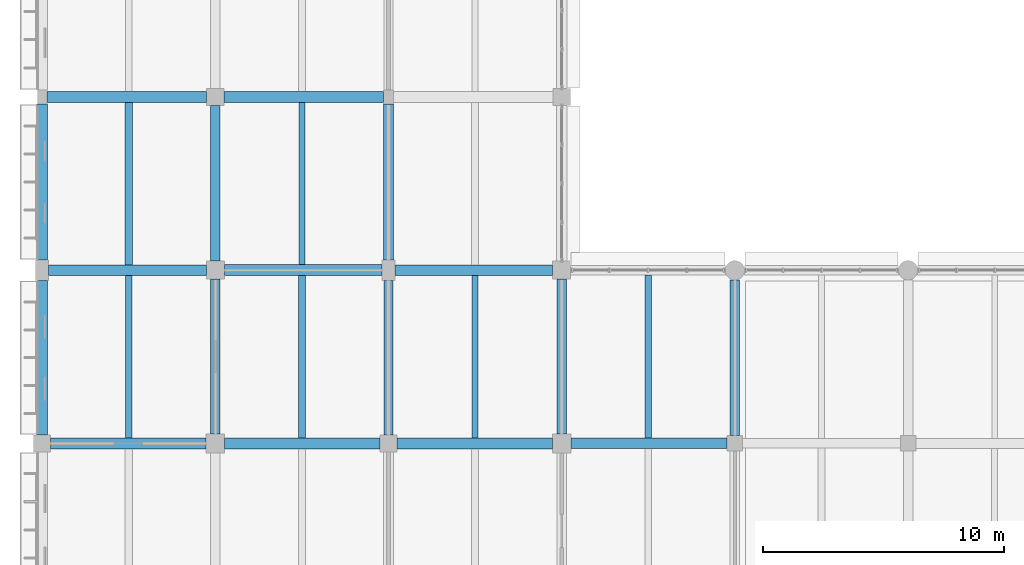
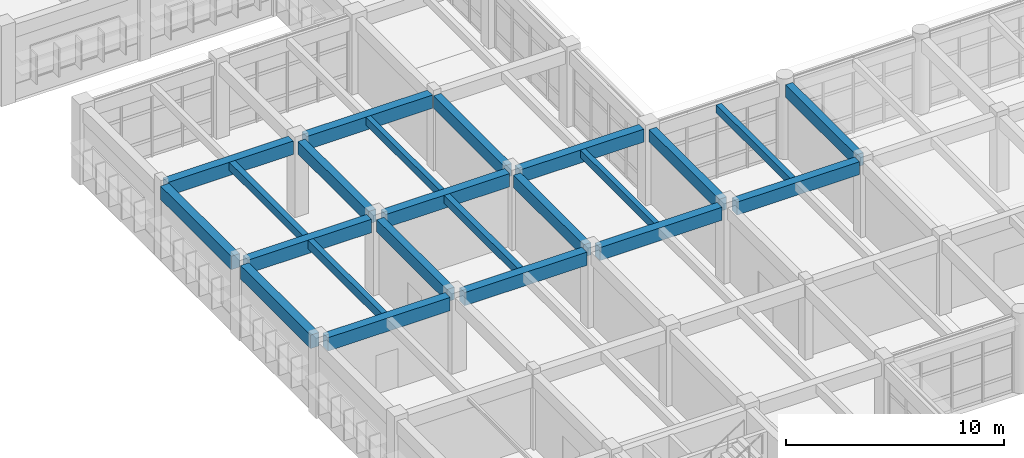
# One storey, part 48 of 171: 23 beams.
"""IFC4 building model written with IfcOpenShell, lengths in metres."""

from ifc_helpers import new_model, si_unit, direction, frame, origin, origin_2d, place, context, subcontext, project, spatial, rectangle, extrude, material, material_profile, profile_set, type_object, element, save


model = new_model("IFC4")

# Units and contexts
model_context = context("Model", 3, precision=1e-05, world=origin(), true_north=direction((0.0, 1.0)))
body_context = subcontext(model_context, "Body", "Model", "MODEL_VIEW")
ifc_project = project(units=[si_unit("LENGTHUNIT", "METRE"), si_unit("AREAUNIT", "SQUARE_METRE"), si_unit("VOLUMEUNIT", "CUBIC_METRE"), si_unit("PLANEANGLEUNIT", "RADIAN"), si_unit("MASSUNIT", "GRAM", prefix="KILO")], contexts=[model_context])

# Site, building, storey
site_placement = place(None, origin())
site = spatial("IfcSite", under=ifc_project, at=site_placement, CompositionType="ELEMENT")
building_placement = place(site_placement, origin())
building = spatial("IfcBuilding", under=site, at=building_placement, Name="Thalmaran Polytechnic", CompositionType="ELEMENT")
storey_placement = place(building_placement, frame((0.0, 0.0, 5.39990234375)))
storey = spatial("IfcBuildingStorey", under=building, at=storey_placement, Name="L01", CompositionType="ELEMENT", Elevation=5.39990234375)

# Beams
ifc_material = material(Name="Concrete C40/50", Category="concrete")
ifc_material_profile_1 = material_profile(ifc_material, rectangle(XDim=0.449951171875, YDim=0.75, at=origin_2d()), Name="RC 450x750")
ifc_profile_set_1 = profile_set([ifc_material_profile_1], Name="Concrete C40/50")
beam_type_1 = type_object("IfcBeamType", Name="BM-RC03", PredefinedType="BEAM", material=ifc_profile_set_1)
beam_1_placement = place(storey_placement, frame((0.35009765625, 64.800048828125, 3.835205078125), z_axis=(1.0, 0.0, 0.0), x_axis=(0.0, 1.0, 0.0)))
element("IfcBeam", 1, at=beam_1_placement, inside=storey, type_object=beam_type_1, Name="Grid Beam B03 L01 X(0,9)", PredefinedType="BEAM", context=body_context, shape_type="SweptSolid", body=[
    extrude(rectangle(XDim=0.449951171875, YDim=0.75, at=origin_2d()), origin(), (0.0, 0.0, 1.0), 6.4599609375),
])
beam_2_placement = place(storey_placement, frame((0.27490234375, 72.0, 3.835205078125), z_axis=(1.0, 0.0, 0.0), x_axis=(0.0, 1.0, 0.0)))
element("IfcBeam", 2, at=beam_2_placement, inside=storey, type_object=beam_type_1, Name="Grid Beam B03 L01 X(0,10)", PredefinedType="BEAM", context=body_context, shape_type="SweptSolid", body=[
    extrude(rectangle(XDim=0.449951171875, YDim=0.75, at=origin_2d()), origin(), (0.0, 0.0, 1.0), 6.550048828125),
])
beam_3_placement = place(storey_placement, frame((0.199951171875, 79.199951171875, 3.835205078125), z_axis=(1.0, 0.0, 0.0), x_axis=(0.0, 1.0, 0.0)))
element("IfcBeam", 3, at=beam_3_placement, inside=storey, type_object=beam_type_1, Name="Grid Beam B03 L01 X(0,11)", PredefinedType="BEAM", context=body_context, shape_type="SweptSolid", body=[
    extrude(rectangle(XDim=0.449951171875, YDim=0.75, at=origin_2d()), origin(), (0.0, 0.0, 1.0), 6.64013671875),
])
ifc_material_profile_2 = material_profile(ifc_material, rectangle(XDim=0.449951171875, YDim=0.72509765625, at=origin_2d()), Name="RC 450x725")
ifc_profile_set_2 = profile_set([ifc_material_profile_2], Name="Concrete C40/50")
beam_type_2 = type_object("IfcBeamType", Name="BM-RC04", PredefinedType="BEAM", material=ifc_profile_set_2)
beam_4_placement = place(storey_placement, frame((14.75, 64.800048828125, 3.84765625), z_axis=(1.0, 0.0, 0.0), x_axis=(0.0, 1.0, 0.0)))
element("IfcBeam", 4, at=beam_4_placement, inside=storey, type_object=beam_type_2, Name="Grid Beam B04 L01 X(2,9)", PredefinedType="BEAM", context=body_context, shape_type="SweptSolid", body=[
    extrude(rectangle(XDim=0.449951171875, YDim=0.72509765625, at=origin_2d()), origin(), (0.0, 0.0, 1.0), 6.4599609375),
])
beam_5_placement = place(storey_placement, frame((14.675048828125, 72.0, 3.84765625), z_axis=(1.0, 0.0, 0.0), x_axis=(0.0, 1.0, 0.0)))
element("IfcBeam", 5, at=beam_5_placement, inside=storey, type_object=beam_type_2, Name="Grid Beam B04 L01 X(2,10)", PredefinedType="BEAM", context=body_context, shape_type="SweptSolid", body=[
    extrude(rectangle(XDim=0.449951171875, YDim=0.72509765625, at=origin_2d()), origin(), (0.0, 0.0, 1.0), 6.550048828125),
])
ifc_material_profile_3 = material_profile(ifc_material, rectangle(XDim=0.389892578125, YDim=0.68994140625, at=origin_2d()), Name="RC 390x690")
ifc_profile_set_3 = profile_set([ifc_material_profile_3], Name="Concrete C40/50")
beam_type_3 = type_object("IfcBeamType", Name="BM-RC09", PredefinedType="BEAM", material=ifc_profile_set_3)
beam_6_placement = place(storey_placement, frame((7.199951171875, 65.18994140625, 3.864990234375), z_axis=(0.0, 1.0, 0.0), x_axis=(-1.0, 0.0, 0.0)))
element("IfcBeam", 6, at=beam_6_placement, inside=storey, type_object=beam_type_3, Name="Grid Beam B09 L01 Y(1,9)", PredefinedType="BEAM", context=body_context, shape_type="SweptSolid", body=[
    extrude(rectangle(XDim=0.389892578125, YDim=0.68994140625, at=origin_2d()), origin(), (0.0, 0.0, 1.0), 6.43505859375),
])
beam_7_placement = place(storey_placement, frame((14.39990234375, 65.14990234375, 3.864990234375), z_axis=(0.0, 1.0, 0.0), x_axis=(-1.0, 0.0, 0.0)))
element("IfcBeam", 7, at=beam_7_placement, inside=storey, type_object=beam_type_3, Name="Grid Beam B09 L01 Y(2,9)", PredefinedType="BEAM", context=body_context, shape_type="SweptSolid", body=[
    extrude(rectangle(XDim=0.389892578125, YDim=0.68994140625, at=origin_2d()), origin(), (0.0, 0.0, 1.0), 6.425048828125),
])
beam_8_placement = place(storey_placement, frame((21.60009765625, 65.18994140625, 3.864990234375), z_axis=(0.0, 1.0, 0.0), x_axis=(-1.0, 0.0, 0.0)))
element("IfcBeam", 8, at=beam_8_placement, inside=storey, type_object=beam_type_3, Name="Grid Beam B09 L01 Y(3,9)", PredefinedType="BEAM", context=body_context, shape_type="SweptSolid", body=[
    extrude(rectangle(XDim=0.389892578125, YDim=0.68994140625, at=origin_2d()), origin(), (0.0, 0.0, 1.0), 6.43505859375),
])
beam_9_placement = place(storey_placement, frame((28.800048828125, 65.125, 3.864990234375), z_axis=(0.0, 1.0, 0.0), x_axis=(-1.0, 0.0, 0.0)))
element("IfcBeam", 9, at=beam_9_placement, inside=storey, type_object=beam_type_3, Name="Grid Beam B09 L01 Y(4,9)", PredefinedType="BEAM", context=body_context, shape_type="SweptSolid", body=[
    extrude(rectangle(XDim=0.389892578125, YDim=0.68994140625, at=origin_2d()), origin(), (0.0, 0.0, 1.0), 6.47509765625),
])
ifc_material_profile_4 = material_profile(ifc_material, rectangle(XDim=0.300048828125, YDim=0.449951171875, at=origin_2d()), Name="RC 300x450")
ifc_profile_set_4 = profile_set([ifc_material_profile_4], Name="Concrete C40/50")
beam_type_4 = type_object("IfcBeamType", Name="BM-RC12", PredefinedType="JOIST", material=ifc_profile_set_4)
beam_10_placement = place(storey_placement, frame((3.60009765625, 72.22509765625, 3.985107421875), z_axis=(0.0, 1.0, 0.0), x_axis=(-1.0, 0.0, 0.0)))
element("IfcBeam", 10, at=beam_10_placement, inside=storey, type_object=beam_type_4, Name="Secondary Floor Rib RB02 L01 (0,10)", PredefinedType="JOIST", context=body_context, shape_type="SweptSolid", body=[
    extrude(rectangle(XDim=0.300048828125, YDim=0.449951171875, at=origin_2d()), origin(), (0.0, 0.0, 1.0), 6.75),
])
beam_11_placement = place(storey_placement, frame((10.800048828125, 65.030029296875, 3.985107421875), z_axis=(0.0, 1.0, 0.0), x_axis=(-1.0, 0.0, 0.0)))
element("IfcBeam", 11, at=beam_11_placement, inside=storey, type_object=beam_type_4, Name="Secondary Floor Rib RB02 L01 (1,9)", PredefinedType="JOIST", context=body_context, shape_type="SweptSolid", body=[
    extrude(rectangle(XDim=0.300048828125, YDim=0.449951171875, at=origin_2d()), origin(), (0.0, 0.0, 1.0), 6.739990234375),
])
ifc_material_profile_5 = material_profile(ifc_material, rectangle(XDim=0.280029296875, YDim=0.449951171875, at=origin_2d()), Name="RC 280x450")
ifc_profile_set_5 = profile_set([ifc_material_profile_5], Name="Concrete C40/50")
beam_type_5 = type_object("IfcBeamType", Name="BM-RC13", PredefinedType="JOIST", material=ifc_profile_set_5)
beam_12_placement = place(storey_placement, frame((25.199951171875, 65.02001953125, 3.985107421875), z_axis=(0.0, 1.0, 0.0), x_axis=(-1.0, 0.0, 0.0)))
element("IfcBeam", 12, at=beam_12_placement, inside=storey, type_object=beam_type_5, Name="Secondary Floor Rib RB03 L01 (3,9)", PredefinedType="JOIST", context=body_context, shape_type="SweptSolid", body=[
    extrude(rectangle(XDim=0.280029296875, YDim=0.449951171875, at=origin_2d()), origin(), (0.0, 0.0, 1.0), 6.780029296875),
])
ifc_material_profile_6 = material_profile(ifc_material, rectangle(XDim=0.449951171875, YDim=0.7548828125, at=origin_2d()), Name="RC 450x755")
ifc_profile_set_6 = profile_set([ifc_material_profile_6], Name="Concrete C40/50")
beam_type_6 = type_object("IfcBeamType", Name="BM-SP02", PredefinedType="SPANDREL", material=ifc_profile_set_6)
beam_13_placement = place(storey_placement, frame((0.0, 65.14990234375, 3.83251953125), z_axis=(0.0, 1.0, 0.0), x_axis=(-1.0, 0.0, 0.0)))
element("IfcBeam", 13, at=beam_13_placement, inside=storey, type_object=beam_type_6, Name="Grid Beam SP02 L01 Y(0,9)", PredefinedType="SPANDREL", context=body_context, shape_type="SweptSolid", body=[
    extrude(rectangle(XDim=0.449951171875, YDim=0.7548828125, at=origin_2d()), origin(), (0.0, 0.0, 1.0), 6.425048828125),
])
beam_14_placement = place(storey_placement, frame((0.0, 72.425048828125, 3.83251953125), z_axis=(0.0, 1.0, 0.0), x_axis=(-1.0, 0.0, 0.0)))
element("IfcBeam", 14, at=beam_14_placement, inside=storey, type_object=beam_type_6, Name="Grid Beam SP02 L01 Y(0,10)", PredefinedType="SPANDREL", context=body_context, shape_type="SweptSolid", body=[
    extrude(rectangle(XDim=0.449951171875, YDim=0.7548828125, at=origin_2d()), origin(), (0.0, 0.0, 1.0), 6.474853515625),
])
ifc_material_profile_7 = material_profile(ifc_material, rectangle(XDim=0.4599609375, YDim=0.739990234375, at=origin_2d()), Name="RC 460x740")
ifc_profile_set_7 = profile_set([ifc_material_profile_7], Name="Concrete C40/50")
beam_type_7 = type_object("IfcBeamType", Name="BM-ZB02", PredefinedType="BEAM", material=ifc_profile_set_7)
beam_15_placement = place(storey_placement, frame((7.590087890625, 64.800048828125, 3.840087890625), z_axis=(1.0, 0.0, 0.0), x_axis=(0.0, 1.0, 0.0)))
element("IfcBeam", 15, at=beam_15_placement, inside=storey, type_object=beam_type_7, Name="Grid Beam ZB02 L01 X(1,9)", PredefinedType="BEAM", context=body_context, shape_type="SweptSolid", body=[
    extrude(rectangle(XDim=0.4599609375, YDim=0.739990234375, at=origin_2d()), origin(), (0.0, 0.0, 1.0), 6.4599609375),
])
beam_16_placement = place(storey_placement, frame((7.574951171875, 72.0, 3.840087890625), z_axis=(1.0, 0.0, 0.0), x_axis=(0.0, 1.0, 0.0)))
element("IfcBeam", 16, at=beam_16_placement, inside=storey, type_object=beam_type_7, Name="Grid Beam ZB02 L01 X(1,10)", PredefinedType="BEAM", context=body_context, shape_type="SweptSolid", body=[
    extrude(rectangle(XDim=0.4599609375, YDim=0.739990234375, at=origin_2d()), origin(), (0.0, 0.0, 1.0), 6.550048828125),
])
beam_17_placement = place(storey_placement, frame((7.56005859375, 79.199951171875, 3.840087890625), z_axis=(1.0, 0.0, 0.0), x_axis=(0.0, 1.0, 0.0)))
element("IfcBeam", 17, at=beam_17_placement, inside=storey, type_object=beam_type_7, Name="Grid Beam ZB02 L01 X(1,11)", PredefinedType="BEAM", context=body_context, shape_type="SweptSolid", body=[
    extrude(rectangle(XDim=0.4599609375, YDim=0.739990234375, at=origin_2d()), origin(), (0.0, 0.0, 1.0), 6.639892578125),
])
ifc_material_profile_8 = material_profile(ifc_material, rectangle(XDim=0.43994140625, YDim=0.719970703125, at=origin_2d()), Name="RC 440x720")
ifc_profile_set_8 = profile_set([ifc_material_profile_8], Name="Concrete C40/50")
beam_type_8 = type_object("IfcBeamType", Name="BM-ZB03", PredefinedType="BEAM", material=ifc_profile_set_8)
beam_18_placement = place(storey_placement, frame((21.989990234375, 64.800048828125, 3.85009765625), z_axis=(1.0, 0.0, 0.0), x_axis=(0.0, 1.0, 0.0)))
element("IfcBeam", 18, at=beam_18_placement, inside=storey, type_object=beam_type_8, Name="Grid Beam ZB03 L01 X(3,9)", PredefinedType="BEAM", context=body_context, shape_type="SweptSolid", body=[
    extrude(rectangle(XDim=0.43994140625, YDim=0.719970703125, at=origin_2d()), origin(), (0.0, 0.0, 1.0), 6.485107421875),
])
ifc_material_profile_9 = material_profile(ifc_material, rectangle(XDim=0.39990234375, YDim=0.695068359375, at=origin_2d()), Name="RC 400x695")
ifc_profile_set_9 = profile_set([ifc_material_profile_9], Name="Concrete C40/50")
beam_type_9 = type_object("IfcBeamType", Name="BM-ZB08", PredefinedType="BEAM", material=ifc_profile_set_9)
beam_19_placement = place(storey_placement, frame((7.199951171875, 72.375, 3.862548828125), z_axis=(0.0, 1.0, 0.0), x_axis=(-1.0, 0.0, 0.0)))
element("IfcBeam", 19, at=beam_19_placement, inside=storey, type_object=beam_type_9, Name="Grid Beam ZB08 L01 Y(1,10)", PredefinedType="BEAM", context=body_context, shape_type="SweptSolid", body=[
    extrude(rectangle(XDim=0.39990234375, YDim=0.695068359375, at=origin_2d()), origin(), (0.0, 0.0, 1.0), 6.465087890625),
])
beam_20_placement = place(storey_placement, frame((14.39990234375, 72.425048828125, 3.862548828125), z_axis=(0.0, 1.0, 0.0), x_axis=(-1.0, 0.0, 0.0)))
element("IfcBeam", 20, at=beam_20_placement, inside=storey, type_object=beam_type_9, Name="Grid Beam ZB08 L01 Y(2,10)", PredefinedType="BEAM", context=body_context, shape_type="SweptSolid", body=[
    extrude(rectangle(XDim=0.39990234375, YDim=0.695068359375, at=origin_2d()), origin(), (0.0, 0.0, 1.0), 6.474853515625),
])
ifc_material_profile_10 = material_profile(ifc_material, rectangle(XDim=0.280029296875, YDim=0.47998046875, at=origin_2d()), Name="RC 280x480")
ifc_profile_set_10 = profile_set([ifc_material_profile_10], Name="Concrete C40/50")
beam_type_10 = type_object("IfcBeamType", Name="BM-ZJ01", PredefinedType="JOIST", material=ifc_profile_set_10)
beam_21_placement = place(storey_placement, frame((3.60009765625, 65.02490234375, 3.97021484375), z_axis=(0.0, 1.0, 0.0), x_axis=(-1.0, 0.0, 0.0)))
element("IfcBeam", 21, at=beam_21_placement, inside=storey, type_object=beam_type_10, Name="Secondary Floor Rib ZJ01 L01 (0,9)", PredefinedType="JOIST", context=body_context, shape_type="SweptSolid", body=[
    extrude(rectangle(XDim=0.280029296875, YDim=0.47998046875, at=origin_2d()), origin(), (0.0, 0.0, 1.0), 6.75),
])
ifc_material_profile_11 = material_profile(ifc_material, rectangle(XDim=0.260009765625, YDim=0.43994140625, at=origin_2d()), Name="RC 260x440")
ifc_profile_set_11 = profile_set([ifc_material_profile_11], Name="Concrete C40/50")
beam_type_11 = type_object("IfcBeamType", Name="BM-ZJ02", PredefinedType="JOIST", material=ifc_profile_set_11)
beam_22_placement = place(storey_placement, frame((10.800048828125, 72.22998046875, 3.989990234375), z_axis=(0.0, 1.0, 0.0), x_axis=(-1.0, 0.0, 0.0)))
element("IfcBeam", 22, at=beam_22_placement, inside=storey, type_object=beam_type_11, Name="Secondary Floor Rib ZJ02 L01 (1,10)", PredefinedType="JOIST", context=body_context, shape_type="SweptSolid", body=[
    extrude(rectangle(XDim=0.260009765625, YDim=0.43994140625, at=origin_2d()), origin(), (0.0, 0.0, 1.0), 6.739990234375),
])
beam_23_placement = place(storey_placement, frame((18.0, 65.02490234375, 3.989990234375), z_axis=(0.0, 1.0, 0.0), x_axis=(-1.0, 0.0, 0.0)))
element("IfcBeam", 23, at=beam_23_placement, inside=storey, type_object=beam_type_11, Name="Secondary Floor Rib ZJ02 L01 (2,9)", PredefinedType="JOIST", context=body_context, shape_type="SweptSolid", body=[
    extrude(rectangle(XDim=0.260009765625, YDim=0.43994140625, at=origin_2d()), origin(), (0.0, 0.0, 1.0), 6.75),
])

save(model, "model.ifc")
